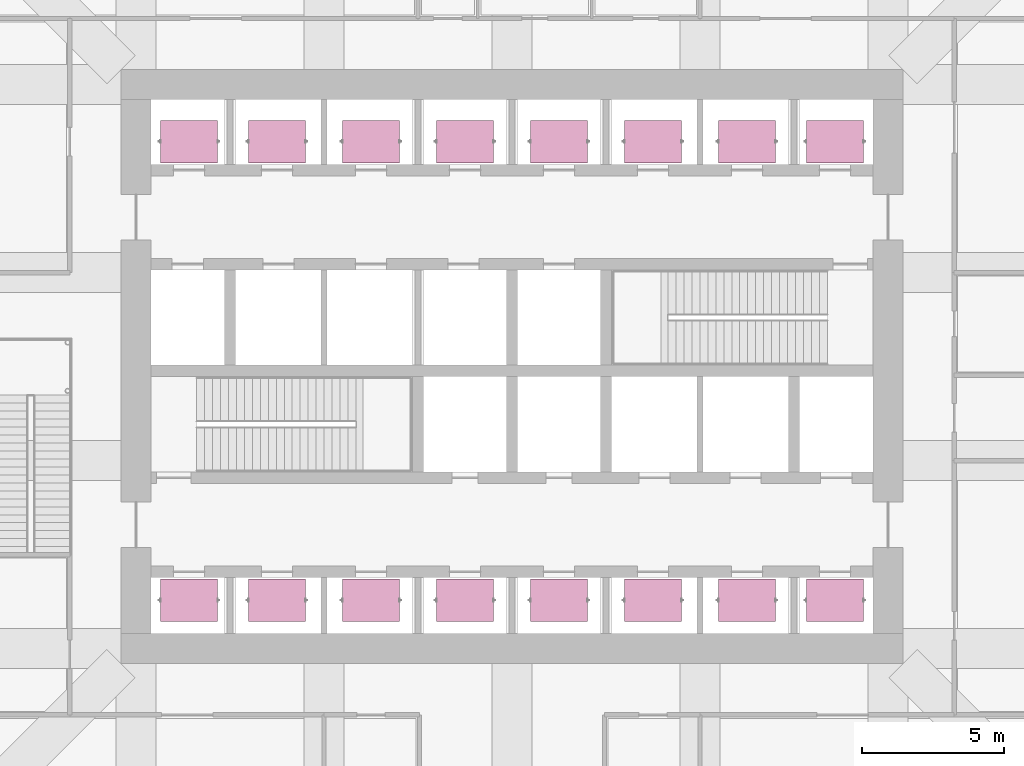
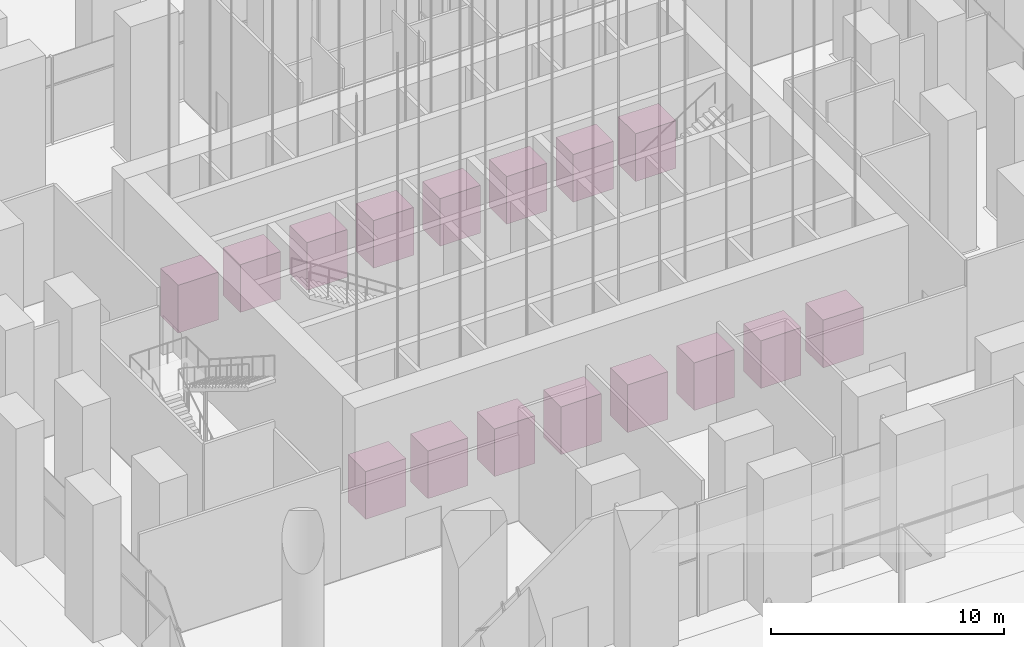
# One storey, part 23 of 32: 16 transport elements.
"""IFC4 building model written with IfcOpenShell, lengths in metres."""

from ifc_helpers import new_model, si_unit, direction, frame, origin, origin_2d, place, context, subcontext, project, spatial, rectangle, extrude, material, type_object, element, save


model = new_model("IFC4")

# Units and contexts
model_context = context("Model", 3, precision=1e-05, world=origin(), true_north=direction((0.0, 1.0)))
body_context = subcontext(model_context, "Body", "Model", "MODEL_VIEW")
ifc_project = project(units=[si_unit("LENGTHUNIT", "METRE"), si_unit("AREAUNIT", "SQUARE_METRE"), si_unit("VOLUMEUNIT", "CUBIC_METRE"), si_unit("PLANEANGLEUNIT", "RADIAN"), si_unit("MASSUNIT", "GRAM", prefix="KILO")], contexts=[model_context])

# Site, building, storey
site_placement = place(None, origin())
site = spatial("IfcSite", under=ifc_project, at=site_placement, CompositionType="ELEMENT")
building_placement = place(site_placement, origin())
building = spatial("IfcBuilding", under=site, at=building_placement, Name="Cobogo Forest Laboratory Tower", CompositionType="ELEMENT")
storey_placement = place(building_placement, origin())
storey = spatial("IfcBuildingStorey", under=building, at=storey_placement, Name="L00", CompositionType="ELEMENT", Elevation=0.0)

# Transport elements
ifc_material = material(Name="Lift car", Category="lift")
transport_element_type = type_object("IfcTransportElementType", Name="LP passenger lift 1600 kg", PredefinedType="ELEVATOR", material=ifc_material)
for number, where, z_axis, x_axis, name in (
    (1, (15.0625, 14.89990234375, 0.0), (0.0, 0.0, 1.0), (1.0, 0.0, 0.0), "LA1"),
    (2, (18.14990234375, 14.89990234375, 0.0), (0.0, 0.0, 1.0), (1.0, 0.0, 0.0), "LA2"),
    (3, (21.449951171875, 14.89990234375, 0.0), (0.0, 0.0, 1.0), (1.0, 0.0, 0.0), "LA3"),
    (4, (24.75, 14.89990234375, 0.0), (0.0, 0.0, 1.0), (1.0, 0.0, 0.0), "LA4"),
    (5, (28.050048828125, 14.89990234375, 0.0), (0.0, 0.0, 1.0), (1.0, 0.0, 0.0), "LB1"),
    (6, (31.35009765625, 14.89990234375, 0.0), (0.0, 0.0, 1.0), (1.0, 0.0, 0.0), "LB2"),
    (7, (34.64990234375, 14.89990234375, 0.0), (0.0, 0.0, 1.0), (1.0, 0.0, 0.0), "LB3"),
    (8, (37.737548828125, 14.89990234375, 0.0), (0.0, 0.0, 1.0), (1.0, 0.0, 0.0), "LB4"),
    (9, (15.0625, 31.0, 0.0), (0.0, 0.0, 1.0), (1.0, 0.0, 0.0), "LC1"),
    (10, (18.14990234375, 31.0, 0.0), (0.0, 0.0, 1.0), (1.0, 0.0, 0.0), "LC2"),
    (11, (21.449951171875, 31.0, 0.0), (0.0, 0.0, 1.0), (1.0, 0.0, 0.0), "LC3"),
    (12, (24.75, 31.0, 0.0), (0.0, 0.0, 1.0), (1.0, 0.0, 0.0), "LC4"),
    (13, (28.050048828125, 31.0, 0.0), (0.0, 0.0, 1.0), (1.0, 0.0, 0.0), "LD1"),
    (14, (31.35009765625, 31.0, 0.0), (0.0, 0.0, 1.0), (1.0, 0.0, 0.0), "LD2"),
    (15, (34.64990234375, 31.0, 0.0), (0.0, 0.0, 1.0), (1.0, 0.0, 0.0), "LD3"),
    (16, (37.737548828125, 31.0, 0.0), (0.0, 0.0, 1.0), (1.0, 0.0, 0.0), "LD4"),
):
    element("IfcTransportElement", number, at=place(storey_placement, frame(where, z_axis=z_axis, x_axis=x_axis)), inside=storey, type_object=transport_element_type, Name=name, PredefinedType="ELEVATOR", context=body_context, shape_type="SweptSolid", body=[
        extrude(rectangle(XDim=2.0, YDim=1.5, at=origin_2d()), origin(), (0.0, 0.0, 1.0), 2.5),
    ])

save(model, "model.ifc")
